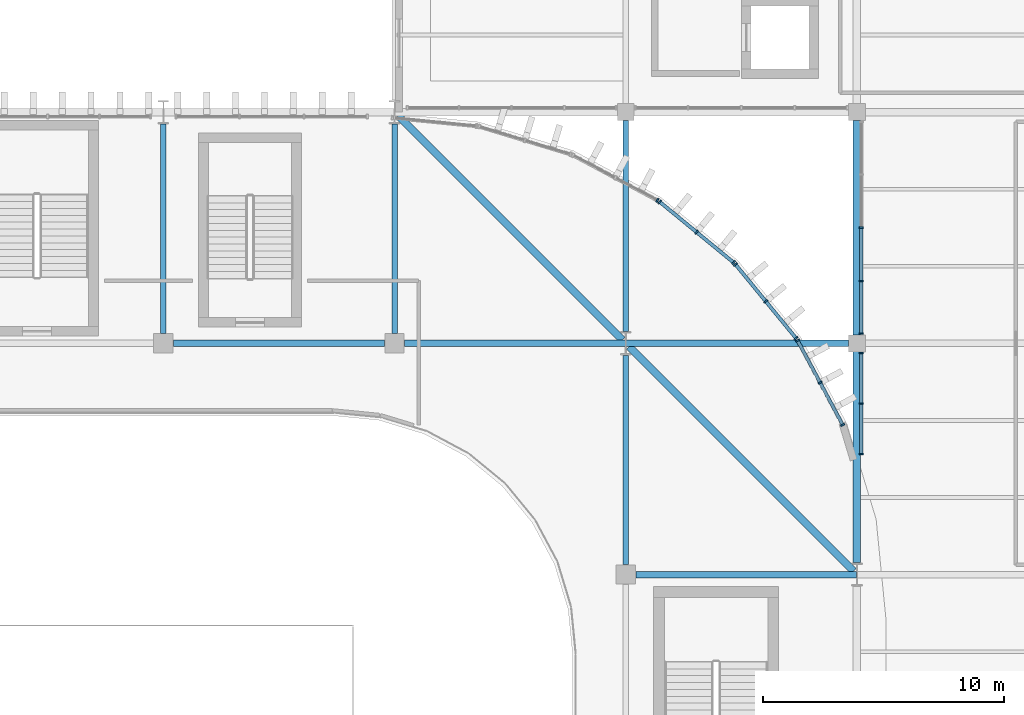
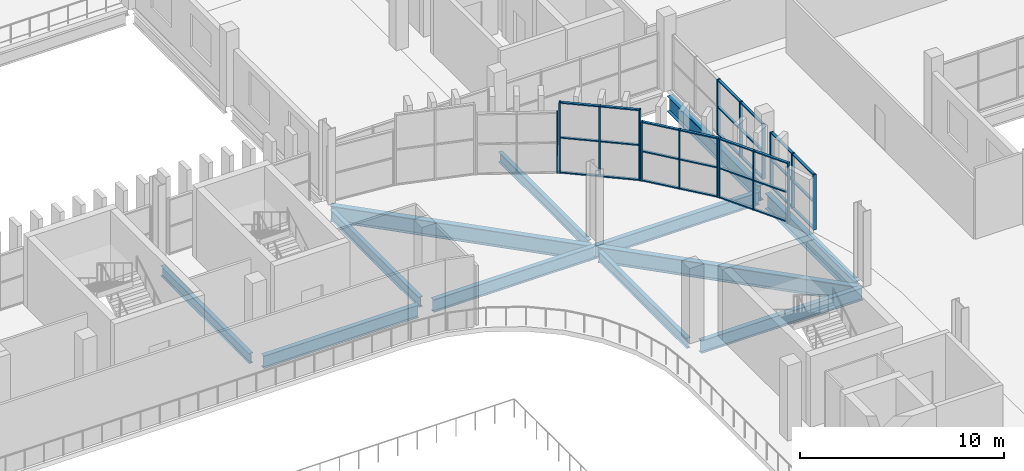
# One storey, part 26 of 75: 46 members, 12 beams, 6 elements without a shape of their own.
"""IFC4 building model written with IfcOpenShell, lengths in metres."""

from ifc_helpers import new_model, si_unit, direction, frame, origin, origin_2d, place, context, subcontext, project, spatial, rectangle, i_section, extrude, material, layer, layer_set, material_profile, profile_set, type_object, element, aggregate, save


model = new_model("IFC4")

# Units and contexts
model_context = context("Model", 3, precision=1e-05, world=origin(), true_north=direction((0.0, 1.0)))
body_context = subcontext(model_context, "Body", "Model", "MODEL_VIEW")
ifc_project = project(units=[si_unit("LENGTHUNIT", "METRE"), si_unit("AREAUNIT", "SQUARE_METRE"), si_unit("VOLUMEUNIT", "CUBIC_METRE"), si_unit("PLANEANGLEUNIT", "RADIAN"), si_unit("MASSUNIT", "GRAM", prefix="KILO")], contexts=[model_context])

# Site, building, storey
site_placement = place(None, origin())
site = spatial("IfcSite", under=ifc_project, at=site_placement, CompositionType="ELEMENT")
building_placement = place(site_placement, origin())
building = spatial("IfcBuilding", under=site, at=building_placement, Name="Caelomonte Colonnade Arena", CompositionType="ELEMENT")
storey_placement = place(building_placement, frame((0.0, 0.0, 14.10009765625)))
storey = spatial("IfcBuildingStorey", under=building, at=storey_placement, Name="L03", CompositionType="ELEMENT", Elevation=14.10009765625)

# Curtain wall, members
ifc_material_1 = material(Name="Bronze anodised aluminium and low-E glazing", Category="aluminium")
ifc_layer_1 = layer(ifc_material_1, 0.179931640625)
ifc_layer_set_1 = layer_set([ifc_layer_1], Name="Bronze anodised aluminium and low-E glazing")
curtain_wall_type_1 = type_object("IfcCurtainWallType", Name="ENV-CW-CW-L03-96-33", PredefinedType="USERDEFINED", material=ifc_layer_set_1)
curtain_wall_1_placement = place(storey_placement, origin())
curtain_wall_1 = element("IfcCurtainWall", 1, at=curtain_wall_1_placement, inside=storey, type_object=curtain_wall_type_1, Name="L03 unitized curtain wall CW-L03-1634-1104", ObjectType="UNITIZED CURTAIN WALL", PredefinedType="USERDEFINED")
ifc_material_2 = material(Name="Bronze anodised aluminium AA6063-T6", Category="aluminium")
ifc_material_profile_1 = material_profile(ifc_material_2, rectangle(XDim=0.070068359375, YDim=0.179931640625, at=origin_2d()), Name="CWM-70X180")
ifc_profile_set_1 = profile_set([ifc_material_profile_1], Name="Bronze anodised aluminium AA6063-T6")
member_type_1 = type_object("IfcMemberType", Name="ENV-CW-MULL1", PredefinedType="MULLION", material=ifc_profile_set_1)
member_1_placement = place(storey_placement, frame((163.3798828125, 110.39990234375, 0.0), z_axis=(0.0, 0.0, 1.0), x_axis=(0.0, -1.0, 0.0)))
member_1 = element("IfcMember", 2, at=member_1_placement, type_object=member_type_1, Name="CW-L03-96-33 mullion 3", PredefinedType="MULLION", context=body_context, shape_type="SweptSolid", body=[
    extrude(rectangle(XDim=0.070068359375, YDim=0.179931640625, at=origin_2d()), origin(), (0.0, 0.0, 1.0), 3.312744140625),
])
member_2_placement = place(storey_placement, frame((163.3798828125, 108.18505859375, 0.0), z_axis=(0.0, 0.0, 1.0), x_axis=(0.0, -1.0, 0.0)))
member_2 = element("IfcMember", 3, at=member_2_placement, type_object=member_type_1, Name="CW-L03-96-33 mullion 4", PredefinedType="MULLION", context=body_context, shape_type="SweptSolid", body=[
    extrude(rectangle(XDim=0.070068359375, YDim=0.179931640625, at=origin_2d()), origin(), (0.0, 0.0, 1.0), 3.312744140625),
])
member_3_placement = place(storey_placement, frame((163.3798828125, 106.0048828125, 0.0), z_axis=(0.0, 0.0, 1.0), x_axis=(0.0, -1.0, 0.0)))
member_3 = element("IfcMember", 4, at=member_3_placement, type_object=member_type_1, Name="CW-L03-96-33 mullion 5", PredefinedType="MULLION", context=body_context, shape_type="SweptSolid", body=[
    extrude(rectangle(XDim=0.070068359375, YDim=0.179931640625, at=origin_2d()), origin(), (0.0, 0.0, 1.0), 3.312744140625),
])

ifc_layer_2 = layer(ifc_material_1, 0.179931640625)
ifc_layer_set_2 = layer_set([ifc_layer_2], Name="Bronze anodised aluminium and low-E glazing")
curtain_wall_type_2 = type_object("IfcCurtainWallType", Name="ENV-CW-CW-L03-48-33", PredefinedType="USERDEFINED", material=ifc_layer_set_2)
curtain_wall_2_placement = place(storey_placement, origin())
curtain_wall_2 = element("IfcCurtainWall", 5, at=curtain_wall_2_placement, inside=storey, type_object=curtain_wall_type_2, Name="L03 unitized curtain wall CW-L03-1634-1032", ObjectType="UNITIZED CURTAIN WALL", PredefinedType="USERDEFINED")
member_4_placement = place(storey_placement, frame((163.3798828125, 105.195068359375, 0.0), z_axis=(0.0, 0.0, 1.0), x_axis=(0.0, -1.0, 0.0)))
member_4 = element("IfcMember", 6, at=member_4_placement, type_object=member_type_1, Name="CW-L03-48-33 mullion 1", PredefinedType="MULLION", context=body_context, shape_type="SweptSolid", body=[
    extrude(rectangle(XDim=0.070068359375, YDim=0.179931640625, at=origin_2d()), origin(), (0.0, 0.0, 1.0), 3.312744140625),
])
member_5_placement = place(storey_placement, frame((163.3798828125, 103.09716796875, 0.0), z_axis=(0.0, 0.0, 1.0), x_axis=(0.0, -1.0, 0.0)))
member_5 = element("IfcMember", 7, at=member_5_placement, type_object=member_type_1, Name="CW-L03-48-33 mullion 2", PredefinedType="MULLION", context=body_context, shape_type="SweptSolid", body=[
    extrude(rectangle(XDim=0.070068359375, YDim=0.179931640625, at=origin_2d()), origin(), (0.0, 0.0, 1.0), 3.312744140625),
])
member_6_placement = place(storey_placement, frame((163.3798828125, 100.99951171875, 0.0), z_axis=(0.0, 0.0, 1.0), x_axis=(0.0, -1.0, 0.0)))
member_6 = element("IfcMember", 8, at=member_6_placement, type_object=member_type_1, Name="CW-L03-48-33 mullion 3", PredefinedType="MULLION", context=body_context, shape_type="SweptSolid", body=[
    extrude(rectangle(XDim=0.070068359375, YDim=0.179931640625, at=origin_2d()), origin(), (0.0, 0.0, 1.0), 3.312744140625),
])

ifc_layer_3 = layer(ifc_material_1, 0.179931640625)
ifc_layer_set_3 = layer_set([ifc_layer_3], Name="Bronze anodised aluminium and low-E glazing")
curtain_wall_type_3 = type_object("IfcCurtainWallType", Name="ENV-CW-CW-L03-44-36", PredefinedType="USERDEFINED", material=ifc_layer_set_3)
curtain_wall_3_placement = place(storey_placement, origin())
curtain_wall_3 = element("IfcCurtainWall", 9, at=curtain_wall_3_placement, inside=storey, type_object=curtain_wall_type_3, Name="L03 unitized curtain wall CW-L03-1617-1040", ObjectType="UNITIZED CURTAIN WALL", PredefinedType="USERDEFINED")
member_7_placement = place(storey_placement, frame((162.607421875, 102.2177734375, 0.0), z_axis=(0.0, 0.0, 1.0), x_axis=(-0.471394212466, 0.881922613642, 0.0)))
member_7 = element("IfcMember", 10, at=member_7_placement, type_object=member_type_1, Name="CW-L03-44-36 mullion 1", PredefinedType="MULLION", context=body_context, shape_type="SweptSolid", body=[
    extrude(rectangle(XDim=0.070068359375, YDim=0.179931640625, at=origin_2d()), origin(), (0.0, 0.0, 1.0), 3.556396484375),
])
member_8_placement = place(storey_placement, frame((161.67236328125, 103.966796875, 0.0), z_axis=(0.0, 0.0, 1.0), x_axis=(-0.471394212466, 0.881922613642, 0.0)))
member_8 = element("IfcMember", 11, at=member_8_placement, type_object=member_type_1, Name="CW-L03-44-36 mullion 2", PredefinedType="MULLION", context=body_context, shape_type="SweptSolid", body=[
    extrude(rectangle(XDim=0.070068359375, YDim=0.179931640625, at=origin_2d()), origin(), (0.0, 0.0, 1.0), 3.556396484375),
])
member_9_placement = place(storey_placement, frame((160.737548828125, 105.716064453125, 0.0), z_axis=(0.0, 0.0, 1.0), x_axis=(-0.471394212466, 0.881922613642, 0.0)))
member_9 = element("IfcMember", 12, at=member_9_placement, type_object=member_type_1, Name="CW-L03-44-36 mullion 3", PredefinedType="MULLION", context=body_context, shape_type="SweptSolid", body=[
    extrude(rectangle(XDim=0.070068359375, YDim=0.179931640625, at=origin_2d()), origin(), (0.0, 0.0, 1.0), 3.556396484375),
])

curtain_wall_4_placement = place(storey_placement, origin())
curtain_wall_4 = element("IfcCurtainWall", 13, at=curtain_wall_4_placement, inside=storey, type_object=curtain_wall_type_3, Name="L03 unitized curtain wall CW-L03-1594-1073", ObjectType="UNITIZED CURTAIN WALL", PredefinedType="USERDEFINED")
member_10_placement = place(storey_placement, frame((160.67431640625, 105.810791015625, 0.0), z_axis=(0.0, 0.0, 1.0), x_axis=(-0.634416071163, 0.772991751994, 0.0)))
member_10 = element("IfcMember", 14, at=member_10_placement, type_object=member_type_1, Name="CW-L03-44-36 mullion 1", PredefinedType="MULLION", context=body_context, shape_type="SweptSolid", body=[
    extrude(rectangle(XDim=0.070068359375, YDim=0.179931640625, at=origin_2d()), origin(), (0.0, 0.0, 1.0), 3.556396484375),
])
member_11_placement = place(storey_placement, frame((159.416015625, 107.343994140625, 0.0), z_axis=(0.0, 0.0, 1.0), x_axis=(-0.634416071163, 0.772991751994, 0.0)))
member_11 = element("IfcMember", 15, at=member_11_placement, type_object=member_type_1, Name="CW-L03-44-36 mullion 2", PredefinedType="MULLION", context=body_context, shape_type="SweptSolid", body=[
    extrude(rectangle(XDim=0.070068359375, YDim=0.179931640625, at=origin_2d()), origin(), (0.0, 0.0, 1.0), 3.556396484375),
])
member_12_placement = place(storey_placement, frame((158.15771484375, 108.876953125, 0.0), z_axis=(0.0, 0.0, 1.0), x_axis=(-0.634416071163, 0.772991751994, 0.0)))
member_12 = element("IfcMember", 16, at=member_12_placement, type_object=member_type_1, Name="CW-L03-44-36 mullion 3", PredefinedType="MULLION", context=body_context, shape_type="SweptSolid", body=[
    extrude(rectangle(XDim=0.070068359375, YDim=0.179931640625, at=origin_2d()), origin(), (0.0, 0.0, 1.0), 3.556396484375),
])

ifc_layer_4 = layer(ifc_material_1, 0.179931640625)
ifc_layer_set_4 = layer_set([ifc_layer_4], Name="Bronze anodised aluminium and low-E glazing")
curtain_wall_type_4 = type_object("IfcCurtainWallType", Name="ENV-CW-CW-L03-44-42", PredefinedType="USERDEFINED", material=ifc_layer_set_4)
curtain_wall_5_placement = place(storey_placement, origin())
curtain_wall_5 = element("IfcCurtainWall", 17, at=curtain_wall_5_placement, inside=storey, type_object=curtain_wall_type_4, Name="L03 unitized curtain wall CW-L03-1565-1102", ObjectType="UNITIZED CURTAIN WALL", PredefinedType="USERDEFINED")
member_13_placement = place(storey_placement, frame((158.0771484375, 108.95751953125, 0.0), z_axis=(0.0, 0.0, 1.0), x_axis=(-0.772991751994, 0.634416071163, 0.0)))
member_13 = element("IfcMember", 18, at=member_13_placement, type_object=member_type_1, Name="CW-L03-44-42 mullion 1", PredefinedType="MULLION", context=body_context, shape_type="SweptSolid", body=[
    extrude(rectangle(XDim=0.070068359375, YDim=0.179931640625, at=origin_2d()), origin(), (0.0, 0.0, 1.0), 4.239990234375),
])
member_14_placement = place(storey_placement, frame((156.5439453125, 110.2158203125, 0.0), z_axis=(0.0, 0.0, 1.0), x_axis=(-0.772991751994, 0.634416071163, 0.0)))
member_14 = element("IfcMember", 19, at=member_14_placement, type_object=member_type_1, Name="CW-L03-44-42 mullion 2", PredefinedType="MULLION", context=body_context, shape_type="SweptSolid", body=[
    extrude(rectangle(XDim=0.070068359375, YDim=0.179931640625, at=origin_2d()), origin(), (0.0, 0.0, 1.0), 4.239990234375),
])
member_15_placement = place(storey_placement, frame((155.0107421875, 111.47412109375, 0.0), z_axis=(0.0, 0.0, 1.0), x_axis=(-0.772991751994, 0.634416071163, 0.0)))
member_15 = element("IfcMember", 20, at=member_15_placement, type_object=member_type_1, Name="CW-L03-44-42 mullion 3", PredefinedType="MULLION", context=body_context, shape_type="SweptSolid", body=[
    extrude(rectangle(XDim=0.070068359375, YDim=0.179931640625, at=origin_2d()), origin(), (0.0, 0.0, 1.0), 4.239990234375),
])

# Curtain wall, member
curtain_wall_6_placement = place(storey_placement, origin())
curtain_wall_6 = element("IfcCurtainWall", 21, at=curtain_wall_6_placement, inside=storey, type_object=curtain_wall_type_3, Name="L03 unitized curtain wall CW-L03-1532-1125", ObjectType="UNITIZED CURTAIN WALL", PredefinedType="USERDEFINED")
member_16_placement = place(storey_placement, frame((154.916015625, 111.53759765625, 0.0), z_axis=(0.0, 0.0, 1.0), x_axis=(-0.881922613642, 0.471394212466, 0.0)))
member_16 = element("IfcMember", 22, at=member_16_placement, type_object=member_type_1, Name="CW-L03-44-36 mullion 1", PredefinedType="MULLION", context=body_context, shape_type="SweptSolid", body=[
    extrude(rectangle(XDim=0.070068359375, YDim=0.179931640625, at=origin_2d()), origin(), (0.0, 0.0, 1.0), 3.637939453125),
])
aggregate(curtain_wall_6, [member_16])

# Member
ifc_material_profile_2 = material_profile(ifc_material_2, rectangle(XDim=0.070068359375, YDim=0.139892578125, at=origin_2d()), Name="CWT-70X140")
ifc_profile_set_2 = profile_set([ifc_material_profile_2], Name="Bronze anodised aluminium AA6063-T6")
member_type_2 = type_object("IfcMemberType", Name="ENV-CW-TRAN1", PredefinedType="USERDEFINED", material=ifc_profile_set_2)
member_17_placement = place(storey_placement, frame((163.3798828125, 110.364990234375, 0.034912109375), z_axis=(0.0, -1.0, 0.0), x_axis=(0.0, 0.0, 1.0)))
member_17 = element("IfcMember", 23, at=member_17_placement, type_object=member_type_2, Name="CW-L03-96-33 transom 3.1", ObjectType="TRANSOM", PredefinedType="USERDEFINED", context=body_context, shape_type="SweptSolid", body=[
    extrude(rectangle(XDim=0.070068359375, YDim=0.139892578125, at=origin_2d()), origin(), (0.0, 0.0, 1.0), 2.14501953125),
])

member_18_placement = place(storey_placement, frame((163.3798828125, 110.364990234375, 1.65625), z_axis=(0.0, -1.0, 0.0), x_axis=(0.0, 0.0, 1.0)))
member_18 = element("IfcMember", 24, at=member_18_placement, type_object=member_type_2, Name="CW-L03-96-33 transom 3.2", ObjectType="TRANSOM", PredefinedType="USERDEFINED", context=body_context, shape_type="SweptSolid", body=[
    extrude(rectangle(XDim=0.070068359375, YDim=0.139892578125, at=origin_2d()), origin(), (0.0, 0.0, 1.0), 2.14501953125),
])

member_19_placement = place(storey_placement, frame((163.3798828125, 110.364990234375, 3.277587890625), z_axis=(0.0, -1.0, 0.0), x_axis=(0.0, 0.0, 1.0)))
member_19 = element("IfcMember", 25, at=member_19_placement, type_object=member_type_2, Name="CW-L03-96-33 transom 3.3", ObjectType="TRANSOM", PredefinedType="USERDEFINED", context=body_context, shape_type="SweptSolid", body=[
    extrude(rectangle(XDim=0.070068359375, YDim=0.139892578125, at=origin_2d()), origin(), (0.0, 0.0, 1.0), 2.14501953125),
])

member_20_placement = place(storey_placement, frame((163.3798828125, 108.14990234375, 0.034912109375), z_axis=(0.0, -1.0, 0.0), x_axis=(0.0, 0.0, 1.0)))
member_20 = element("IfcMember", 26, at=member_20_placement, type_object=member_type_2, Name="CW-L03-96-33 transom 4.1", ObjectType="TRANSOM", PredefinedType="USERDEFINED", context=body_context, shape_type="SweptSolid", body=[
    extrude(rectangle(XDim=0.070068359375, YDim=0.139892578125, at=origin_2d()), origin(), (0.0, 0.0, 1.0), 2.10986328125),
])

member_21_placement = place(storey_placement, frame((163.3798828125, 108.14990234375, 1.65625), z_axis=(0.0, -1.0, 0.0), x_axis=(0.0, 0.0, 1.0)))
member_21 = element("IfcMember", 27, at=member_21_placement, type_object=member_type_2, Name="CW-L03-96-33 transom 4.2", ObjectType="TRANSOM", PredefinedType="USERDEFINED", context=body_context, shape_type="SweptSolid", body=[
    extrude(rectangle(XDim=0.070068359375, YDim=0.139892578125, at=origin_2d()), origin(), (0.0, 0.0, 1.0), 2.10986328125),
])

member_22_placement = place(storey_placement, frame((163.3798828125, 108.14990234375, 3.277587890625), z_axis=(0.0, -1.0, 0.0), x_axis=(0.0, 0.0, 1.0)))
member_22 = element("IfcMember", 28, at=member_22_placement, type_object=member_type_2, Name="CW-L03-96-33 transom 4.3", ObjectType="TRANSOM", PredefinedType="USERDEFINED", context=body_context, shape_type="SweptSolid", body=[
    extrude(rectangle(XDim=0.070068359375, YDim=0.139892578125, at=origin_2d()), origin(), (0.0, 0.0, 1.0), 2.10986328125),
])

aggregate(curtain_wall_1, [member_1, member_2, member_3, member_17, member_18, member_19, member_20, member_21, member_22])

member_23_placement = place(storey_placement, frame((163.3798828125, 105.159912109375, 0.034912109375), z_axis=(0.0, -1.0, 0.0), x_axis=(0.0, 0.0, 1.0)))
member_23 = element("IfcMember", 29, at=member_23_placement, type_object=member_type_2, Name="CW-L03-48-33 transom 1.1", ObjectType="TRANSOM", PredefinedType="USERDEFINED", context=body_context, shape_type="SweptSolid", body=[
    extrude(rectangle(XDim=0.070068359375, YDim=0.139892578125, at=origin_2d()), origin(), (0.0, 0.0, 1.0), 2.027587890625),
])

member_24_placement = place(storey_placement, frame((163.3798828125, 105.159912109375, 1.65625), z_axis=(0.0, -1.0, 0.0), x_axis=(0.0, 0.0, 1.0)))
member_24 = element("IfcMember", 30, at=member_24_placement, type_object=member_type_2, Name="CW-L03-48-33 transom 1.2", ObjectType="TRANSOM", PredefinedType="USERDEFINED", context=body_context, shape_type="SweptSolid", body=[
    extrude(rectangle(XDim=0.070068359375, YDim=0.139892578125, at=origin_2d()), origin(), (0.0, 0.0, 1.0), 2.027587890625),
])

member_25_placement = place(storey_placement, frame((163.3798828125, 105.159912109375, 3.277587890625), z_axis=(0.0, -1.0, 0.0), x_axis=(0.0, 0.0, 1.0)))
member_25 = element("IfcMember", 31, at=member_25_placement, type_object=member_type_2, Name="CW-L03-48-33 transom 1.3", ObjectType="TRANSOM", PredefinedType="USERDEFINED", context=body_context, shape_type="SweptSolid", body=[
    extrude(rectangle(XDim=0.070068359375, YDim=0.139892578125, at=origin_2d()), origin(), (0.0, 0.0, 1.0), 2.027587890625),
])

member_26_placement = place(storey_placement, frame((163.3798828125, 103.062255859375, 0.034912109375), z_axis=(0.0, -1.0, 0.0), x_axis=(0.0, 0.0, 1.0)))
member_26 = element("IfcMember", 32, at=member_26_placement, type_object=member_type_2, Name="CW-L03-48-33 transom 2.1", ObjectType="TRANSOM", PredefinedType="USERDEFINED", context=body_context, shape_type="SweptSolid", body=[
    extrude(rectangle(XDim=0.070068359375, YDim=0.139892578125, at=origin_2d()), origin(), (0.0, 0.0, 1.0), 2.02783203125),
])

member_27_placement = place(storey_placement, frame((163.3798828125, 103.062255859375, 1.65625), z_axis=(0.0, -1.0, 0.0), x_axis=(0.0, 0.0, 1.0)))
member_27 = element("IfcMember", 33, at=member_27_placement, type_object=member_type_2, Name="CW-L03-48-33 transom 2.2", ObjectType="TRANSOM", PredefinedType="USERDEFINED", context=body_context, shape_type="SweptSolid", body=[
    extrude(rectangle(XDim=0.070068359375, YDim=0.139892578125, at=origin_2d()), origin(), (0.0, 0.0, 1.0), 2.02783203125),
])

member_28_placement = place(storey_placement, frame((163.3798828125, 103.062255859375, 3.277587890625), z_axis=(0.0, -1.0, 0.0), x_axis=(0.0, 0.0, 1.0)))
member_28 = element("IfcMember", 34, at=member_28_placement, type_object=member_type_2, Name="CW-L03-48-33 transom 2.3", ObjectType="TRANSOM", PredefinedType="USERDEFINED", context=body_context, shape_type="SweptSolid", body=[
    extrude(rectangle(XDim=0.070068359375, YDim=0.139892578125, at=origin_2d()), origin(), (0.0, 0.0, 1.0), 2.02783203125),
])

aggregate(curtain_wall_2, [member_4, member_5, member_6, member_23, member_24, member_25, member_26, member_27, member_28])

member_29_placement = place(storey_placement, frame((162.5908203125, 102.24853515625, 0.034912109375), z_axis=(-0.471343048304, 0.88194995936, 0.0), x_axis=(0.0, 0.0, 1.0)))
member_29 = element("IfcMember", 35, at=member_29_placement, type_object=member_type_2, Name="CW-L03-44-36 transom 1.1", ObjectType="TRANSOM", PredefinedType="USERDEFINED", context=body_context, shape_type="SweptSolid", body=[
    extrude(rectangle(XDim=0.070068359375, YDim=0.139892578125, at=origin_2d()), origin(), (0.0, 0.0, 1.0), 1.913330078125),
])

member_30_placement = place(storey_placement, frame((162.5908203125, 102.24853515625, 1.7783203125), z_axis=(-0.471343048304, 0.88194995936, 0.0), x_axis=(0.0, 0.0, 1.0)))
member_30 = element("IfcMember", 36, at=member_30_placement, type_object=member_type_2, Name="CW-L03-44-36 transom 1.2", ObjectType="TRANSOM", PredefinedType="USERDEFINED", context=body_context, shape_type="SweptSolid", body=[
    extrude(rectangle(XDim=0.070068359375, YDim=0.139892578125, at=origin_2d()), origin(), (0.0, 0.0, 1.0), 1.913330078125),
])

member_31_placement = place(storey_placement, frame((162.5908203125, 102.24853515625, 3.521484375), z_axis=(-0.471343048304, 0.88194995936, 0.0), x_axis=(0.0, 0.0, 1.0)))
member_31 = element("IfcMember", 37, at=member_31_placement, type_object=member_type_2, Name="CW-L03-44-36 transom 1.3", ObjectType="TRANSOM", PredefinedType="USERDEFINED", context=body_context, shape_type="SweptSolid", body=[
    extrude(rectangle(XDim=0.070068359375, YDim=0.139892578125, at=origin_2d()), origin(), (0.0, 0.0, 1.0), 1.913330078125),
])

member_32_placement = place(storey_placement, frame((161.656005859375, 103.997802734375, 0.034912109375), z_axis=(-0.47149534087, 0.881868552301, 0.0), x_axis=(0.0, 0.0, 1.0)))
member_32 = element("IfcMember", 38, at=member_32_placement, type_object=member_type_2, Name="CW-L03-44-36 transom 2.1", ObjectType="TRANSOM", PredefinedType="USERDEFINED", context=body_context, shape_type="SweptSolid", body=[
    extrude(rectangle(XDim=0.070068359375, YDim=0.139892578125, at=origin_2d()), origin(), (0.0, 0.0, 1.0), 1.913330078125),
])

member_33_placement = place(storey_placement, frame((161.656005859375, 103.997802734375, 1.7783203125), z_axis=(-0.47149534087, 0.881868552301, 0.0), x_axis=(0.0, 0.0, 1.0)))
member_33 = element("IfcMember", 39, at=member_33_placement, type_object=member_type_2, Name="CW-L03-44-36 transom 2.2", ObjectType="TRANSOM", PredefinedType="USERDEFINED", context=body_context, shape_type="SweptSolid", body=[
    extrude(rectangle(XDim=0.070068359375, YDim=0.139892578125, at=origin_2d()), origin(), (0.0, 0.0, 1.0), 1.913330078125),
])

member_34_placement = place(storey_placement, frame((161.656005859375, 103.997802734375, 3.521484375), z_axis=(-0.47149534087, 0.881868552301, 0.0), x_axis=(0.0, 0.0, 1.0)))
member_34 = element("IfcMember", 40, at=member_34_placement, type_object=member_type_2, Name="CW-L03-44-36 transom 2.3", ObjectType="TRANSOM", PredefinedType="USERDEFINED", context=body_context, shape_type="SweptSolid", body=[
    extrude(rectangle(XDim=0.070068359375, YDim=0.139892578125, at=origin_2d()), origin(), (0.0, 0.0, 1.0), 1.913330078125),
])

aggregate(curtain_wall_3, [member_7, member_8, member_9, member_29, member_30, member_31, member_32, member_33, member_34])

member_35_placement = place(storey_placement, frame((160.652099609375, 105.837890625, 0.034912109375), z_axis=(-0.634494516049, 0.772927363407, 0.0), x_axis=(0.0, 0.0, 1.0)))
member_35 = element("IfcMember", 41, at=member_35_placement, type_object=member_type_2, Name="CW-L03-44-36 transom 1.1", ObjectType="TRANSOM", PredefinedType="USERDEFINED", context=body_context, shape_type="SweptSolid", body=[
    extrude(rectangle(XDim=0.070068359375, YDim=0.139892578125, at=origin_2d()), origin(), (0.0, 0.0, 1.0), 1.91357421875),
])

member_36_placement = place(storey_placement, frame((160.652099609375, 105.837890625, 1.7783203125), z_axis=(-0.634494516049, 0.772927363407, 0.0), x_axis=(0.0, 0.0, 1.0)))
member_36 = element("IfcMember", 42, at=member_36_placement, type_object=member_type_2, Name="CW-L03-44-36 transom 1.2", ObjectType="TRANSOM", PredefinedType="USERDEFINED", context=body_context, shape_type="SweptSolid", body=[
    extrude(rectangle(XDim=0.070068359375, YDim=0.139892578125, at=origin_2d()), origin(), (0.0, 0.0, 1.0), 1.91357421875),
])

member_37_placement = place(storey_placement, frame((160.652099609375, 105.837890625, 3.521484375), z_axis=(-0.634494516049, 0.772927363407, 0.0), x_axis=(0.0, 0.0, 1.0)))
member_37 = element("IfcMember", 43, at=member_37_placement, type_object=member_type_2, Name="CW-L03-44-36 transom 1.3", ObjectType="TRANSOM", PredefinedType="USERDEFINED", context=body_context, shape_type="SweptSolid", body=[
    extrude(rectangle(XDim=0.070068359375, YDim=0.139892578125, at=origin_2d()), origin(), (0.0, 0.0, 1.0), 1.91357421875),
])

member_38_placement = place(storey_placement, frame((159.393798828125, 107.370849609375, 0.034912109375), z_axis=(-0.634431948726, 0.772978720558, 0.0), x_axis=(0.0, 0.0, 1.0)))
member_38 = element("IfcMember", 44, at=member_38_placement, type_object=member_type_2, Name="CW-L03-44-36 transom 2.1", ObjectType="TRANSOM", PredefinedType="USERDEFINED", context=body_context, shape_type="SweptSolid", body=[
    extrude(rectangle(XDim=0.070068359375, YDim=0.139892578125, at=origin_2d()), origin(), (0.0, 0.0, 1.0), 1.913818359375),
])

member_39_placement = place(storey_placement, frame((159.393798828125, 107.370849609375, 1.7783203125), z_axis=(-0.634431948726, 0.772978720558, 0.0), x_axis=(0.0, 0.0, 1.0)))
member_39 = element("IfcMember", 45, at=member_39_placement, type_object=member_type_2, Name="CW-L03-44-36 transom 2.2", ObjectType="TRANSOM", PredefinedType="USERDEFINED", context=body_context, shape_type="SweptSolid", body=[
    extrude(rectangle(XDim=0.070068359375, YDim=0.139892578125, at=origin_2d()), origin(), (0.0, 0.0, 1.0), 1.913818359375),
])

member_40_placement = place(storey_placement, frame((159.393798828125, 107.370849609375, 3.521484375), z_axis=(-0.634431948726, 0.772978720558, 0.0), x_axis=(0.0, 0.0, 1.0)))
member_40 = element("IfcMember", 46, at=member_40_placement, type_object=member_type_2, Name="CW-L03-44-36 transom 2.3", ObjectType="TRANSOM", PredefinedType="USERDEFINED", context=body_context, shape_type="SweptSolid", body=[
    extrude(rectangle(XDim=0.070068359375, YDim=0.139892578125, at=origin_2d()), origin(), (0.0, 0.0, 1.0), 1.913818359375),
])

aggregate(curtain_wall_4, [member_10, member_11, member_12, member_35, member_36, member_37, member_38, member_39, member_40])

member_41_placement = place(storey_placement, frame((158.050048828125, 108.979736328125, 0.034912109375), z_axis=(-0.772989936128, 0.634418283662, 0.0), x_axis=(0.0, 0.0, 1.0)))
member_41 = element("IfcMember", 47, at=member_41_placement, type_object=member_type_2, Name="CW-L03-44-42 transom 1.1", ObjectType="TRANSOM", PredefinedType="USERDEFINED", context=body_context, shape_type="SweptSolid", body=[
    extrude(rectangle(XDim=0.070068359375, YDim=0.139892578125, at=origin_2d()), origin(), (0.0, 0.0, 1.0), 1.913330078125),
])

member_42_placement = place(storey_placement, frame((158.050048828125, 108.979736328125, 2.119873046875), z_axis=(-0.772989936128, 0.634418283662, 0.0), x_axis=(0.0, 0.0, 1.0)))
member_42 = element("IfcMember", 48, at=member_42_placement, type_object=member_type_2, Name="CW-L03-44-42 transom 1.2", ObjectType="TRANSOM", PredefinedType="USERDEFINED", context=body_context, shape_type="SweptSolid", body=[
    extrude(rectangle(XDim=0.070068359375, YDim=0.139892578125, at=origin_2d()), origin(), (0.0, 0.0, 1.0), 1.913330078125),
])

member_43_placement = place(storey_placement, frame((158.050048828125, 108.979736328125, 4.204833984375), z_axis=(-0.772989936128, 0.634418283662, 0.0), x_axis=(0.0, 0.0, 1.0)))
member_43 = element("IfcMember", 49, at=member_43_placement, type_object=member_type_2, Name="CW-L03-44-42 transom 1.3", ObjectType="TRANSOM", PredefinedType="USERDEFINED", context=body_context, shape_type="SweptSolid", body=[
    extrude(rectangle(XDim=0.070068359375, YDim=0.139892578125, at=origin_2d()), origin(), (0.0, 0.0, 1.0), 1.913330078125),
])

member_44_placement = place(storey_placement, frame((156.516845703125, 110.238037109375, 0.034912109375), z_axis=(-0.772989936128, 0.634418283662, 0.0), x_axis=(0.0, 0.0, 1.0)))
member_44 = element("IfcMember", 50, at=member_44_placement, type_object=member_type_2, Name="CW-L03-44-42 transom 2.1", ObjectType="TRANSOM", PredefinedType="USERDEFINED", context=body_context, shape_type="SweptSolid", body=[
    extrude(rectangle(XDim=0.070068359375, YDim=0.139892578125, at=origin_2d()), origin(), (0.0, 0.0, 1.0), 1.913330078125),
])

member_45_placement = place(storey_placement, frame((156.516845703125, 110.238037109375, 2.119873046875), z_axis=(-0.772989936128, 0.634418283662, 0.0), x_axis=(0.0, 0.0, 1.0)))
member_45 = element("IfcMember", 51, at=member_45_placement, type_object=member_type_2, Name="CW-L03-44-42 transom 2.2", ObjectType="TRANSOM", PredefinedType="USERDEFINED", context=body_context, shape_type="SweptSolid", body=[
    extrude(rectangle(XDim=0.070068359375, YDim=0.139892578125, at=origin_2d()), origin(), (0.0, 0.0, 1.0), 1.913330078125),
])

member_46_placement = place(storey_placement, frame((156.516845703125, 110.238037109375, 4.204833984375), z_axis=(-0.772989936128, 0.634418283662, 0.0), x_axis=(0.0, 0.0, 1.0)))
member_46 = element("IfcMember", 52, at=member_46_placement, type_object=member_type_2, Name="CW-L03-44-42 transom 2.3", ObjectType="TRANSOM", PredefinedType="USERDEFINED", context=body_context, shape_type="SweptSolid", body=[
    extrude(rectangle(XDim=0.070068359375, YDim=0.139892578125, at=origin_2d()), origin(), (0.0, 0.0, 1.0), 1.913330078125),
])

aggregate(curtain_wall_5, [member_13, member_14, member_15, member_41, member_42, member_43, member_44, member_45, member_46])

# Beams
ifc_material_3 = material(Name="Wide-flange steel ASTM A992 Grade 50", Category="steel")
ifc_material_profile_3 = material_profile(ifc_material_3, i_section(OverallWidth=0.307861328125, OverallDepth=0.927001953125, WebThickness=0.019287109375, FlangeThickness=0.031982421875, FilletRadius=0.020263671875, at=origin_2d()), Name="W36X194")
ifc_profile_set_3 = profile_set([ifc_material_profile_3], Name="Wide-flange steel ASTM A992 Grade 50")
beam_type_1 = type_object("IfcBeamType", Name="STR-BM-EAVES2", PredefinedType="SPANDREL", material=ifc_profile_set_3)
beam_1_placement = place(storey_placement, frame((163.199951171875, 96.49755859375, -0.74365234375), z_axis=(0.0, 1.0, 0.0), x_axis=(-1.0, 0.0, 0.0)))
element("IfcBeam", 53, at=beam_1_placement, inside=storey, type_object=beam_type_1, Name="L03 girder BMY-L03-1632-0960", PredefinedType="SPANDREL", context=body_context, shape_type="SweptSolid", body=[
    extrude(i_section(OverallWidth=0.307861328125, OverallDepth=0.927001953125, WebThickness=0.019287109375, FlangeThickness=0.031982421875, FilletRadius=0.020263671875, at=origin_2d()), origin(), (0.0, 0.0, 1.0), 8.760498046875),
])
beam_2_placement = place(storey_placement, frame((163.199951171875, 105.94189453125, -0.74365234375), z_axis=(0.0, 1.0, 0.0), x_axis=(-1.0, 0.0, 0.0)))
element("IfcBeam", 54, at=beam_2_placement, inside=storey, type_object=beam_type_1, Name="L03 girder BMY-L03-1632-1056", PredefinedType="SPANDREL", context=body_context, shape_type="SweptSolid", body=[
    extrude(i_section(OverallWidth=0.307861328125, OverallDepth=0.927001953125, WebThickness=0.019287109375, FlangeThickness=0.031982421875, FilletRadius=0.020263671875, at=origin_2d()), origin(), (0.0, 0.0, 1.0), 8.916015625),
])
for number, where, z_axis, x_axis, name in (
    (55, (163.0576171875, 96.142578125, -0.74365234375), (-0.707116047487, 0.707097514764, 0.0), (-0.707097514764, -0.707116047487, 0.0), "L03 drum corner ring girder 5"),
    (56, (153.45751953125, 105.742431640625, -0.74365234375), (-0.707097514764, 0.707116047487, 0.0), (-0.707116047487, -0.707097514764, 0.0), "L03 drum corner ring girder 6"),
):
    element("IfcBeam", number, at=place(storey_placement, frame(where, z_axis=z_axis, x_axis=x_axis)), inside=storey, type_object=beam_type_1, Name=name, PredefinedType="SPANDREL", context=body_context, shape_type="SweptSolid", body=[
        extrude(i_section(OverallWidth=0.307861328125, OverallDepth=0.927001953125, WebThickness=0.019287109375, FlangeThickness=0.031982421875, FilletRadius=0.020263671875, at=origin_2d()), origin(), (0.0, 0.0, 1.0), 13.173583984375),
    ])
ifc_material_profile_4 = material_profile(ifc_material_3, i_section(OverallWidth=0.228271484375, OverallDepth=0.607177734375, WebThickness=0.01123046875, FlangeThickness=0.017333984375, FilletRadius=0.0126953125, at=origin_2d()), Name="W24X76")
ifc_profile_set_4 = profile_set([ifc_material_profile_4], Name="Wide-flange steel ASTM A992 Grade 50")
beam_type_2 = type_object("IfcBeamType", Name="STR-BM-GIRD24", PredefinedType="BEAM", material=ifc_profile_set_4)
for number, where, z_axis, x_axis, name in (
    (57, (134.39990234375, 106.01708984375, -0.58349609375), (0.0, 1.0, 0.0), (-1.0, 0.0, 0.0), "L03 girder BMY-L03-1344-1056"),
    (58, (144.0, 106.01708984375, -0.58349609375), (0.0, 1.0, 0.0), (-1.0, 0.0, 0.0), "L03 girder BMY-L03-1440-1056"),
    (59, (153.60009765625, 96.4169921875, -0.58349609375), (0.0, 1.0, 0.0), (-1.0, 0.0, 0.0), "L03 girder BMY-L03-1536-0960"),
):
    element("IfcBeam", number, at=place(storey_placement, frame(where, z_axis=z_axis, x_axis=x_axis)), inside=storey, type_object=beam_type_2, Name=name, PredefinedType="BEAM", context=body_context, shape_type="SweptSolid", body=[
        extrude(i_section(OverallWidth=0.228271484375, OverallDepth=0.607177734375, WebThickness=0.01123046875, FlangeThickness=0.017333984375, FilletRadius=0.0126953125, at=origin_2d()), origin(), (0.0, 0.0, 1.0), 8.685546875),
    ])
beam_3_placement = place(storey_placement, frame((153.60009765625, 106.097412109375, -0.58349609375), z_axis=(0.0, 1.0, 0.0), x_axis=(-1.0, 0.0, 0.0)))
element("IfcBeam", 60, at=beam_3_placement, inside=storey, type_object=beam_type_2, Name="L03 girder BMY-L03-1536-1056", PredefinedType="BEAM", context=body_context, shape_type="SweptSolid", body=[
    extrude(i_section(OverallWidth=0.228271484375, OverallDepth=0.607177734375, WebThickness=0.01123046875, FlangeThickness=0.017333984375, FilletRadius=0.0126953125, at=origin_2d()), origin(), (0.0, 0.0, 1.0), 8.760498046875),
])
ifc_material_profile_5 = material_profile(ifc_material_3, i_section(OverallWidth=0.265380859375, OverallDepth=0.75439453125, WebThickness=0.01318359375, FlangeThickness=0.01708984375, FilletRadius=0.0166015625, at=origin_2d()), Name="W30X99")
ifc_profile_set_5 = profile_set([ifc_material_profile_5], Name="Wide-flange steel ASTM A992 Grade 50")
beam_type_3 = type_object("IfcBeamType", Name="STR-BM-GIRD30B", PredefinedType="BEAM", material=ifc_profile_set_5)
beam_4_placement = place(storey_placement, frame((154.01708984375, 96.0, -0.6572265625), z_axis=(1.0, 0.0, 0.0), x_axis=(0.0, 1.0, 0.0)))
element("IfcBeam", 61, at=beam_4_placement, inside=storey, type_object=beam_type_3, Name="L03 girder BMX-L03-1536-0960", PredefinedType="BEAM", context=body_context, shape_type="SweptSolid", body=[
    extrude(i_section(OverallWidth=0.265380859375, OverallDepth=0.75439453125, WebThickness=0.01318359375, FlangeThickness=0.01708984375, FilletRadius=0.0166015625, at=origin_2d()), origin(), (0.0, 0.0, 1.0), 9.171142578125),
])
beam_5_placement = place(storey_placement, frame((134.81689453125, 105.60009765625, -0.6572265625), z_axis=(1.0, 0.0, 0.0), x_axis=(0.0, 1.0, 0.0)))
element("IfcBeam", 62, at=beam_5_placement, inside=storey, type_object=beam_type_3, Name="L03 girder BMX-L03-1344-1056", PredefinedType="BEAM", context=body_context, shape_type="SweptSolid", body=[
    extrude(i_section(OverallWidth=0.265380859375, OverallDepth=0.75439453125, WebThickness=0.01318359375, FlangeThickness=0.01708984375, FilletRadius=0.0166015625, at=origin_2d()), origin(), (0.0, 0.0, 1.0), 8.76611328125),
])
beam_6_placement = place(storey_placement, frame((144.4169921875, 105.60009765625, -0.6572265625), z_axis=(1.0, 0.0, 0.0), x_axis=(0.0, 1.0, 0.0)))
element("IfcBeam", 63, at=beam_6_placement, inside=storey, type_object=beam_type_3, Name="L03 girder BMX-L03-1440-1056", PredefinedType="BEAM", context=body_context, shape_type="SweptSolid", body=[
    extrude(i_section(OverallWidth=0.265380859375, OverallDepth=0.75439453125, WebThickness=0.01318359375, FlangeThickness=0.01708984375, FilletRadius=0.0166015625, at=origin_2d()), origin(), (0.0, 0.0, 1.0), 9.171142578125),
])
beam_7_placement = place(storey_placement, frame((153.61181640625, 105.60009765625, -0.6572265625), z_axis=(1.0, 0.0, 0.0), x_axis=(0.0, 1.0, 0.0)))
element("IfcBeam", 64, at=beam_7_placement, inside=storey, type_object=beam_type_3, Name="L03 girder BMX-L03-1536-1056", PredefinedType="BEAM", context=body_context, shape_type="SweptSolid", body=[
    extrude(i_section(OverallWidth=0.265380859375, OverallDepth=0.75439453125, WebThickness=0.01318359375, FlangeThickness=0.01708984375, FilletRadius=0.0166015625, at=origin_2d()), origin(), (0.0, 0.0, 1.0), 9.24609375),
])

save(model, "model.ifc")
